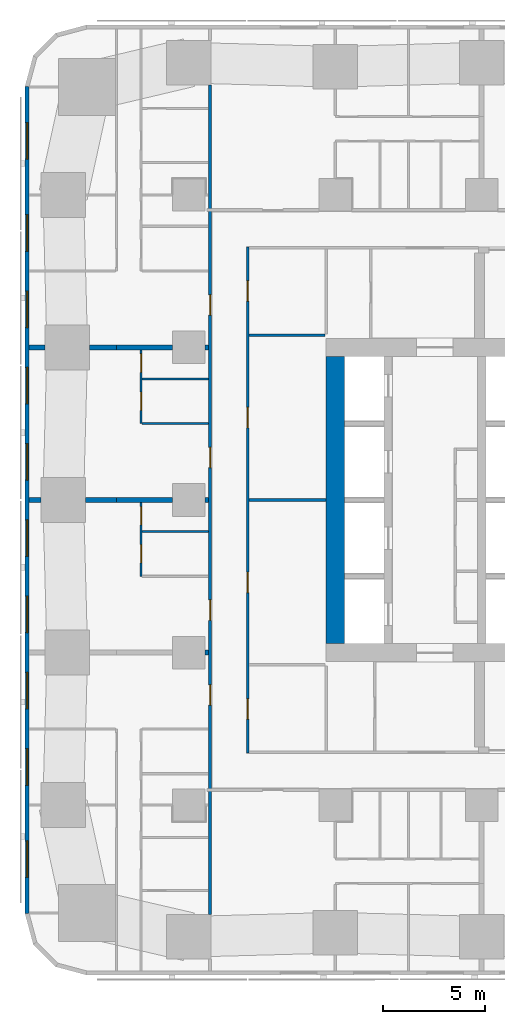
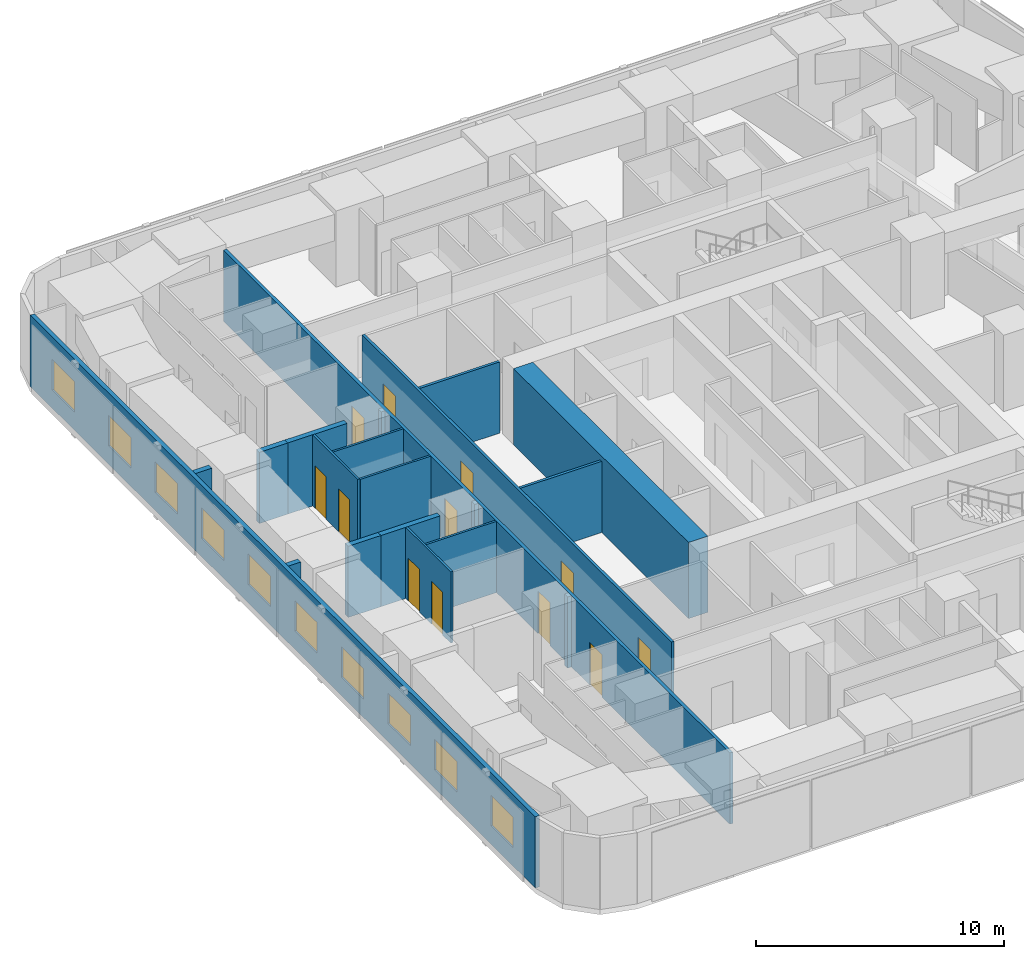
# One storey, part 4 of 14: 20 walls, 12 doors, 10 windows, 22 openings.
"""IFC4 building model written with IfcOpenShell, lengths in metres."""

import ifcopenshell
import ifcopenshell.guid

model = None  # the IFC model being written
_history = None  # IfcOwnerHistory: only IFC2X3 demands one
_inside = {}  # id of a spatial element -> (the spatial element, [elements in it])
_under = {}  # id of a project, library or spatial element -> (it, [spatial elements below it])
_declared = {}  # id of a project -> (the project, [libraries it declares])
_typed = {}  # id of a type object -> (the type object, [elements of that type])
_made_of = {}  # id of a material, layer set ... -> (it, [elements and type objects made of it])


def new_model(schema):
    """Start an empty IFC model of exactly this schema.

    Asked for "IFC4X3", IfcOpenShell would pick the latest addendum, in which some entities
    have other attributes; the version numbers below select the first issue.
    IFC2X3 requires an IfcOwnerHistory on every rooted entity: one is made here for all.
    """
    global model, _history
    if schema == "IFC4X3":
        model = ifcopenshell.file(schema_version=(4, 3, 0, 0))
    else:
        model = ifcopenshell.file(schema=schema)
    _inside.clear()
    _under.clear()
    _declared.clear()
    _typed.clear()
    _made_of.clear()
    _history = None
    if model.schema == "IFC2X3":
        org = make("IfcOrganization", Name="unknown")
        user = make(
            "IfcPersonAndOrganization",
            ThePerson=make("IfcPerson", FamilyName="unknown"),
            TheOrganization=org,
        )
        app = make(
            "IfcApplication",
            ApplicationDeveloper=org,
            Version="unknown",
            ApplicationFullName="unknown",
            ApplicationIdentifier="unknown",
        )
        _history = make(
            "IfcOwnerHistory",
            OwningUser=user,
            OwningApplication=app,
            ChangeAction="ADDED",
            CreationDate=0,
        )
    return model


def make(cls, **values):
    """One entity of the class cls with the attributes given. An attribute that is None is left unset."""
    return model.create_entity(
        cls, **{name: value for name, value in values.items() if value is not None}
    )


def rooted(cls, **values):
    """An entity with a GlobalId (a new one), such as an element, a storey or a relation."""
    return make(cls, GlobalId=ifcopenshell.guid.new(), OwnerHistory=_history, **values)


def si_unit(unit_type, name, prefix=None):
    """IfcSIUnit, for example si_unit("LENGTHUNIT", "METRE", prefix="MILLI")."""
    return make("IfcSIUnit", UnitType=unit_type, Prefix=prefix, Name=name)


def assignment(units):
    """IfcUnitAssignment: the units of a project."""
    return None if units is None else make("IfcUnitAssignment", Units=units)


def point(xyz):
    """IfcCartesianPoint."""
    return None if xyz is None else make("IfcCartesianPoint", Coordinates=xyz)


def direction(xyz):
    """IfcDirection."""
    return None if xyz is None else make("IfcDirection", DirectionRatios=xyz)


def frame(location, z_axis=None, x_axis=None):
    """IfcAxis2Placement3D, a coordinate frame: its origin and axes. An axis left out is left unset."""
    return make(
        "IfcAxis2Placement3D",
        Location=point(location),
        Axis=direction(z_axis),
        RefDirection=direction(x_axis),
    )


def frame_2d(location, x_axis=None):
    """IfcAxis2Placement2D, a coordinate frame in the plane: its origin and x axis."""
    return make(
        "IfcAxis2Placement2D", Location=point(location), RefDirection=direction(x_axis)
    )


def origin():
    """The frame at (0, 0, 0) with its axes left unset."""
    return frame((0.0, 0.0, 0.0))


def place(relative_to, where):
    """IfcLocalPlacement: puts the frame where relative to a parent placement (None: the world)."""
    return make(
        "IfcLocalPlacement", PlacementRelTo=relative_to, RelativePlacement=where
    )


def context(
    kind, dimensions, precision=None, world=None, true_north=None, identifier=None
):
    """IfcGeometricRepresentationContext, for example the 3D "Model" context."""
    return make(
        "IfcGeometricRepresentationContext",
        ContextIdentifier=identifier,
        ContextType=kind,
        CoordinateSpaceDimension=dimensions,
        Precision=precision,
        WorldCoordinateSystem=world,
        TrueNorth=true_north,
    )


def subcontext(parent, identifier, kind, view, scale=None):
    """IfcGeometricRepresentationSubContext, for example "Body" below "Model"."""
    return make(
        "IfcGeometricRepresentationSubContext",
        ContextIdentifier=identifier,
        ContextType=kind,
        ParentContext=parent,
        TargetScale=scale,
        TargetView=view,
    )


def project(units=None, contexts=None):
    """IfcProject with its units and contexts."""
    return rooted(
        "IfcProject",
        Name="project",
        RepresentationContexts=contexts,
        UnitsInContext=assignment(units),
    )


def spatial(cls, under=None, at=None, **own):
    """A site, building, storey or space (cls), placed at a placement, below another one or the project."""
    s = rooted(cls, ObjectPlacement=at, **own)
    if under is not None:
        _under.setdefault(under.id(), (under, []))[1].append(s)
    return s


def profile(cls, at=None, kind="AREA", **sizes):
    """A parametric profile (cls). Its sizes go by their IFC names, for example OverallWidth=200.0."""
    return make(cls, ProfileType=kind, Position=at, **sizes)


def rectangle(**sizes):
    """IfcRectangleProfileDef."""
    return profile("IfcRectangleProfileDef", **sizes)


def extrude(swept, where, along, depth):
    """IfcExtrudedAreaSolid: the profile swept, set in the frame where, extruded along a direction by depth."""
    return make(
        "IfcExtrudedAreaSolid",
        SweptArea=swept,
        Position=where,
        ExtrudedDirection=direction(along),
        Depth=depth,
    )


def shape(context_of_items, identifier, shape_type, items):
    """IfcShapeRepresentation: the items that make up one representation, for example the "Body"."""
    return make(
        "IfcShapeRepresentation",
        ContextOfItems=context_of_items,
        RepresentationIdentifier=identifier,
        RepresentationType=shape_type,
        Items=items,
    )


def material(Name=None, Category=None):
    """IfcMaterial."""
    return make("IfcMaterial", Name=Name, Category=Category)


def layer(
    of_material, thickness, ventilated=None, Name=None, Category=None, Priority=None
):
    """IfcMaterialLayer: one layer of a wall or slab, of a material (None: an air gap)."""
    return make(
        "IfcMaterialLayer",
        Material=of_material,
        LayerThickness=thickness,
        IsVentilated=ventilated,
        Name=Name,
        Category=Category,
        Priority=Priority,
    )


def layer_set(layers, Name=None):
    """IfcMaterialLayerSet."""
    return make("IfcMaterialLayerSet", MaterialLayers=layers, LayerSetName=Name)


def made_of(thing, what):
    """Note that an element or type object is made of a material, layer set ...; save() writes the relation."""
    if what is not None:
        _made_of.setdefault(what.id(), (what, []))[1].append(thing)
    return thing


def type_object(cls, material=None, **own):
    """A type object (cls), such as IfcWallType, which elements share."""
    return made_of(rooted(cls, **own), material)


def element(
    cls,
    number,
    at=None,
    inside=None,
    cuts=None,
    type_object=None,
    material=None,
    context=None,
    identifier="Body",
    shape_type=None,
    held_by="IfcProductDefinitionShape",
    body=None,
    shapes=None,
    **own,
):
    """One element of the class cls, such as IfcWall. Its Tag is "e" and its number.

    at: its placement. inside: the storey or other place that contains it. cuts: it is an
    opening in that element (IfcRelVoidsElement). A single representation is given by context,
    identifier, shape_type and body (its items); several are given by shapes. held_by: the class
    of the entity that holds the representations. save() writes the other relations.
    """
    e = rooted(cls, Tag="e%d" % number, ObjectPlacement=at, **own)
    if body is not None:
        shapes = [shape(context, identifier, shape_type, body)]
    if shapes is not None:
        e.Representation = make(held_by, Representations=shapes)
    if inside is not None:
        _inside.setdefault(inside.id(), (inside, []))[1].append(e)
    if cuts is not None:
        rooted(
            "IfcRelVoidsElement", RelatingBuildingElement=cuts, RelatedOpeningElement=e
        )
    if type_object is not None:
        _typed.setdefault(type_object.id(), (type_object, []))[1].append(e)
    return made_of(e, material)


def fill(opening, filler):
    """IfcRelFillsElement: the door or window that sits in an opening."""
    return rooted(
        "IfcRelFillsElement",
        RelatingOpeningElement=opening,
        RelatedBuildingElement=filler,
    )


def aggregate(whole, parts):
    """IfcRelAggregates: a whole, such as a stair, and the parts it consists of."""
    return rooted("IfcRelAggregates", RelatingObject=whole, RelatedObjects=parts)


def save(model, path):
    """Write the relations noted so far, then the file.

    IfcRelAggregates (storeys below a building ...), IfcRelContainedInSpatialStructure (elements
    in a storey), IfcRelDefinesByType, IfcRelAssociatesMaterial and IfcRelDeclares: one each for
    every whole, place, type object, material and project.
    """
    for whole, parts in _under.values():
        aggregate(whole, parts)
    for where, things in _inside.values():
        rooted(
            "IfcRelContainedInSpatialStructure",
            RelatedElements=things,
            RelatingStructure=where,
        )
    for kind, things in _typed.values():
        rooted("IfcRelDefinesByType", RelatedObjects=things, RelatingType=kind)
    for what, things in _made_of.values():
        rooted("IfcRelAssociatesMaterial", RelatedObjects=things, RelatingMaterial=what)
    for by, libraries in _declared.values():
        rooted("IfcRelDeclares", RelatingContext=by, RelatedDefinitions=libraries)
    model.write(path)


model = new_model("IFC4")

# Units and contexts
model_context = context("Model", 3, precision=1e-05, world=origin(), true_north=direction((0.0, 1.0)))
body_context = subcontext(model_context, "Body", "Model", "MODEL_VIEW")
ifc_project = project(units=[si_unit("LENGTHUNIT", "METRE"), si_unit("AREAUNIT", "SQUARE_METRE"), si_unit("VOLUMEUNIT", "CUBIC_METRE"), si_unit("PLANEANGLEUNIT", "RADIAN"), si_unit("MASSUNIT", "GRAM", prefix="KILO")], contexts=[model_context])

# Site, building, storey
site_placement = place(None, origin())
site = spatial("IfcSite", under=ifc_project, at=site_placement, CompositionType="ELEMENT")
building_placement = place(site_placement, origin())
building = spatial("IfcBuilding", under=site, at=building_placement, Name="Sheger Commons Tower", CompositionType="ELEMENT")
storey_placement = place(building_placement, frame((0.0, 0.0, 122.89990234375)))
storey = spatial("IfcBuildingStorey", under=building, at=storey_placement, Name="L31", CompositionType="ELEMENT", Elevation=122.89990234375)

# Wall
ifc_material_1 = material(Name="Concrete C50/60", Category="concrete")
ifc_layer_1 = layer(ifc_material_1, 0.89990234375)
ifc_layer_set_1 = layer_set([ifc_layer_1], Name="CORE WALL 900")
wall_type_1 = type_object("IfcWallType", Name="CORE WALL 900", PredefinedType="SHEAR", material=ifc_layer_set_1)
wall_1_placement = place(storey_placement, frame((14.39990234375, 15.449951171875, 0.0), z_axis=(0.0, 0.0, 1.0), x_axis=(0.0, 1.0, 0.0)))
element("IfcWall", 1, at=wall_1_placement, inside=storey, type_object=wall_type_1, Name="Core wall west L31", PredefinedType="SHEAR", context=body_context, shape_type="SweptSolid", body=[
    extrude(rectangle(XDim=14.10009765625, YDim=0.89990234375, at=frame_2d((7.050048828125, 0.0))), origin(), (0.0, 0.0, 1.0), 3.75),
])

# Wall, openings, doors
ifc_material_2 = material(Name="Hollow concrete block masonry, skimmed both sides", Category="masonry")
ifc_layer_2 = layer(ifc_material_2, 0.14990234375)
ifc_layer_set_2 = layer_set([ifc_layer_2], Name="CORRIDOR WALL 150")
wall_type_2 = type_object("IfcWallType", Name="CORRIDOR WALL 150", PredefinedType="SOLIDWALL", material=ifc_layer_set_2)
wall_2_placement = place(storey_placement, frame((8.25, 2.1259765625, 0.0), z_axis=(0.0, 0.0, 1.0), x_axis=(0.0, 1.0, 0.0)))
wall_2 = element("IfcWall", 2, at=wall_2_placement, inside=storey, type_object=wall_type_2, Name="Corridor wall L31", PredefinedType="SOLIDWALL", context=body_context, shape_type="SweptSolid", body=[
    extrude(rectangle(XDim=40.77294921875, YDim=0.14990234375, at=frame_2d((20.386474609375, 0.0))), origin(), (0.0, 0.0, 1.0), 3.5),
])
opening_1_placement = place(wall_2_placement, frame((10.285888671875, 0.0, 0.0)))
opening_1 = element("IfcOpeningElement", 3, at=opening_1_placement, cuts=wall_2, Name="Opening D1", PredefinedType="OPENING", context=body_context, shape_type="SweptSolid", body=[
    extrude(rectangle(XDim=1.0, YDim=2.10009765625, at=frame_2d((0.5, 1.050048828125))), frame((0.0, 0.0849609375, 0.0), z_axis=(0.0, -1.0, 0.0), x_axis=(1.0, 0.0, 0.0)), (0.0, 0.0, 1.0), 0.169921875),
])
opening_2_placement = place(wall_2_placement, frame((14.4609375, 0.0, 0.0)))
opening_2 = element("IfcOpeningElement", 4, at=opening_2_placement, cuts=wall_2, Name="Opening D1", PredefinedType="OPENING", context=body_context, shape_type="SweptSolid", body=[
    extrude(rectangle(XDim=1.0, YDim=2.10009765625, at=frame_2d((0.5, 1.050048828125))), frame((0.0, 0.0849609375, 0.0), z_axis=(0.0, -1.0, 0.0), x_axis=(1.0, 0.0, 0.0)), (0.0, 0.0, 1.0), 0.169921875),
])
opening_3_placement = place(wall_2_placement, frame((21.9619140625, 0.0, 0.0)))
opening_3 = element("IfcOpeningElement", 5, at=opening_3_placement, cuts=wall_2, Name="Opening D1", PredefinedType="OPENING", context=body_context, shape_type="SweptSolid", body=[
    extrude(rectangle(XDim=1.0, YDim=2.10009765625, at=frame_2d((0.5, 1.050048828125))), frame((0.0, 0.0849609375, 0.0), z_axis=(0.0, -1.0, 0.0), x_axis=(1.0, 0.0, 0.0)), (0.0, 0.0, 1.0), 0.169921875),
])
opening_4_placement = place(wall_2_placement, frame((29.4609375, 0.0, 0.0)))
opening_4 = element("IfcOpeningElement", 6, at=opening_4_placement, cuts=wall_2, Name="Opening D1", PredefinedType="OPENING", context=body_context, shape_type="SweptSolid", body=[
    extrude(rectangle(XDim=1.0, YDim=2.10009765625, at=frame_2d((0.5, 1.050048828125))), frame((0.0, 0.0849609375, 0.0), z_axis=(0.0, -1.0, 0.0), x_axis=(1.0, 0.0, 0.0)), (0.0, 0.0, 1.0), 0.169921875),
])
ifc_material_3 = material(Name="Steel door set, fire rated", Category="steel")
door_type_1 = type_object("IfcDoorType", Name="FLAT ENTRANCE DOOR 1000x2100", OperationType="NOTDEFINED", PredefinedType="DOOR", material=ifc_material_3)
door_1_placement = place(opening_1_placement, origin())
door_1 = element("IfcDoor", 7, at=door_1_placement, inside=storey, type_object=door_type_1, Name="Flat entrance door", OperationType="SINGLE_SWING_LEFT", OverallHeight=2.10009765625, OverallWidth=1.0, PredefinedType="DOOR", context=body_context, shape_type="SweptSolid", body=[
    extrude(rectangle(XDim=1.0, YDim=2.10009765625, at=frame_2d((0.5, 1.050048828125))), frame((0.0, 0.02490234375, 0.0), z_axis=(0.0, -1.0, 0.0), x_axis=(1.0, 0.0, 0.0)), (0.0, 0.0, 1.0), 0.050048828125),
])
fill(opening_1, door_1)
door_2_placement = place(opening_2_placement, origin())
door_2 = element("IfcDoor", 8, at=door_2_placement, inside=storey, type_object=door_type_1, Name="Flat entrance door", OperationType="SINGLE_SWING_RIGHT", OverallHeight=2.10009765625, OverallWidth=1.0, PredefinedType="DOOR", context=body_context, shape_type="SweptSolid", body=[
    extrude(rectangle(XDim=1.0, YDim=2.10009765625, at=frame_2d((0.5, 1.050048828125))), frame((0.0, 0.02490234375, 0.0), z_axis=(0.0, -1.0, 0.0), x_axis=(1.0, 0.0, 0.0)), (0.0, 0.0, 1.0), 0.050048828125),
])
fill(opening_2, door_2)
door_3_placement = place(opening_3_placement, origin())
door_3 = element("IfcDoor", 9, at=door_3_placement, inside=storey, type_object=door_type_1, Name="Flat entrance door", OperationType="SINGLE_SWING_RIGHT", OverallHeight=2.10009765625, OverallWidth=1.0, PredefinedType="DOOR", context=body_context, shape_type="SweptSolid", body=[
    extrude(rectangle(XDim=1.0, YDim=2.10009765625, at=frame_2d((0.5, 1.050048828125))), frame((0.0, 0.02490234375, 0.0), z_axis=(0.0, -1.0, 0.0), x_axis=(1.0, 0.0, 0.0)), (0.0, 0.0, 1.0), 0.050048828125),
])
fill(opening_3, door_3)
door_4_placement = place(opening_4_placement, origin())
door_4 = element("IfcDoor", 10, at=door_4_placement, inside=storey, type_object=door_type_1, Name="Flat entrance door", OperationType="SINGLE_SWING_RIGHT", OverallHeight=2.10009765625, OverallWidth=1.0, PredefinedType="DOOR", context=body_context, shape_type="SweptSolid", body=[
    extrude(rectangle(XDim=1.0, YDim=2.10009765625, at=frame_2d((0.5, 1.050048828125))), frame((0.0, 0.02490234375, 0.0), z_axis=(0.0, -1.0, 0.0), x_axis=(1.0, 0.0, 0.0)), (0.0, 0.0, 1.0), 0.050048828125),
])
fill(opening_4, door_4)

# Walls
ifc_material_4 = material(Name="Dense concrete block masonry, plastered both sides (separating wall between flats)", Category="masonry")
ifc_layer_3 = layer(ifc_material_4, 0.25)
ifc_layer_set_3 = layer_set([ifc_layer_3], Name="DEMISING WALL 250")
wall_type_3 = type_object("IfcWallType", Name="DEMISING WALL 250", PredefinedType="SOLIDWALL", material=ifc_layer_set_3)
wall_3_placement = place(storey_placement, frame((8.0009765625, 15.0, 0.0), z_axis=(0.0, 0.0, 1.0), x_axis=(1.0, 0.0, 0.0)))
element("IfcWall", 11, at=wall_3_placement, inside=storey, type_object=wall_type_3, Name="Demising wall L31", PredefinedType="SOLIDWALL", context=body_context, shape_type="SweptSolid", body=[
    extrude(rectangle(XDim=0.174072265625, YDim=0.25, at=frame_2d((0.0869140625, 0.0))), origin(), (0.0, 0.0, 1.0), 3.5),
])
wall_4_placement = place(storey_placement, frame((-0.64990234375, 22.5, 0.0), z_axis=(0.0, 0.0, 1.0), x_axis=(1.0, 0.0, 0.0)))
element("IfcWall", 12, at=wall_4_placement, inside=storey, type_object=wall_type_3, Name="Demising wall L31", PredefinedType="SOLIDWALL", context=body_context, shape_type="SweptSolid", body=[
    extrude(rectangle(XDim=0.573974609375, YDim=0.25, at=frame_2d((0.287109375, 0.0))), origin(), (0.0, 0.0, 1.0), 3.5),
])
wall_5_placement = place(storey_placement, frame((2.1259765625, 22.5, 0.0), z_axis=(0.0, 0.0, 1.0), x_axis=(1.0, 0.0, 0.0)))
element("IfcWall", 13, at=wall_5_placement, inside=storey, type_object=wall_type_3, Name="Demising wall L31", PredefinedType="SOLIDWALL", context=body_context, shape_type="SweptSolid", body=[
    extrude(rectangle(XDim=1.52392578125, YDim=0.25, at=frame_2d((0.761962890625, 0.0))), origin(), (0.0, 0.0, 1.0), 3.5),
])
wall_6_placement = place(storey_placement, frame((3.64990234375, 22.5, 0.0), z_axis=(0.0, 0.0, 1.0), x_axis=(1.0, 0.0, 0.0)))
element("IfcWall", 14, at=wall_6_placement, inside=storey, type_object=wall_type_3, Name="Demising wall L31", PredefinedType="SOLIDWALL", context=body_context, shape_type="SweptSolid", body=[
    extrude(rectangle(XDim=2.7490234375, YDim=0.25, at=frame_2d((1.37451171875, 0.0))), origin(), (0.0, 0.0, 1.0), 3.5),
])
wall_7_placement = place(storey_placement, frame((8.0009765625, 22.5, 0.0), z_axis=(0.0, 0.0, 1.0), x_axis=(1.0, 0.0, 0.0)))
element("IfcWall", 15, at=wall_7_placement, inside=storey, type_object=wall_type_3, Name="Demising wall L31", PredefinedType="SOLIDWALL", context=body_context, shape_type="SweptSolid", body=[
    extrude(rectangle(XDim=0.174072265625, YDim=0.25, at=frame_2d((0.0869140625, 0.0))), origin(), (0.0, 0.0, 1.0), 3.5),
])
wall_8_placement = place(storey_placement, frame((-0.64990234375, 30.0, 0.0), z_axis=(0.0, 0.0, 1.0), x_axis=(1.0, 0.0, 0.0)))
element("IfcWall", 16, at=wall_8_placement, inside=storey, type_object=wall_type_3, Name="Demising wall L31", PredefinedType="SOLIDWALL", context=body_context, shape_type="SweptSolid", body=[
    extrude(rectangle(XDim=0.77392578125, YDim=0.25, at=frame_2d((0.386962890625, 0.0))), origin(), (0.0, 0.0, 1.0), 3.5),
])
wall_9_placement = place(storey_placement, frame((2.325927734375, 30.0, 0.0), z_axis=(0.0, 0.0, 1.0), x_axis=(1.0, 0.0, 0.0)))
element("IfcWall", 17, at=wall_9_placement, inside=storey, type_object=wall_type_3, Name="Demising wall L31", PredefinedType="SOLIDWALL", context=body_context, shape_type="SweptSolid", body=[
    extrude(rectangle(XDim=1.323974609375, YDim=0.25, at=frame_2d((0.662109375, 0.0))), origin(), (0.0, 0.0, 1.0), 3.5),
])
wall_10_placement = place(storey_placement, frame((3.64990234375, 30.0, 0.0), z_axis=(0.0, 0.0, 1.0), x_axis=(1.0, 0.0, 0.0)))
element("IfcWall", 18, at=wall_10_placement, inside=storey, type_object=wall_type_3, Name="Demising wall L31", PredefinedType="SOLIDWALL", context=body_context, shape_type="SweptSolid", body=[
    extrude(rectangle(XDim=2.7490234375, YDim=0.25, at=frame_2d((1.37451171875, 0.0))), origin(), (0.0, 0.0, 1.0), 3.5),
])
wall_11_placement = place(storey_placement, frame((8.0009765625, 30.0, 0.0), z_axis=(0.0, 0.0, 1.0), x_axis=(1.0, 0.0, 0.0)))
element("IfcWall", 19, at=wall_11_placement, inside=storey, type_object=wall_type_3, Name="Demising wall L31", PredefinedType="SOLIDWALL", context=body_context, shape_type="SweptSolid", body=[
    extrude(rectangle(XDim=0.174072265625, YDim=0.25, at=frame_2d((0.0869140625, 0.0))), origin(), (0.0, 0.0, 1.0), 3.5),
])

# Wall, openings, windows
ifc_material_5 = material(Name="Rendered concrete block masonry, dark grey", Category="masonry")
ifc_layer_4 = layer(ifc_material_5, 0.199951171875)
ifc_layer_set_4 = layer_set([ifc_layer_4], Name="FACADE WALL 200")
wall_type_4 = type_object("IfcWallType", Name="FACADE WALL 200", PredefinedType="SOLIDWALL", material=ifc_layer_set_4)
wall_12_placement = place(storey_placement, frame((-0.75, 42.8369140625, 0.0), z_axis=(0.0, 0.0, 1.0), x_axis=(0.0, -1.0, 0.0)))
wall_12 = element("IfcWall", 20, at=wall_12_placement, inside=storey, type_object=wall_type_4, Name="Facade wall L31", PredefinedType="SOLIDWALL", context=body_context, shape_type="SweptSolid", body=[
    extrude(rectangle(XDim=40.673828125, YDim=0.199951171875, at=frame_2d((20.3369140625, 0.0))), origin(), (0.0, 0.0, 1.0), 3.5),
])
opening_5_placement = place(wall_12_placement, frame((1.780029296875, 0.0, 0.89990234375)))
opening_5 = element("IfcOpeningElement", 21, at=opening_5_placement, cuts=wall_12, Name="Opening W2", PredefinedType="OPENING", context=body_context, shape_type="SweptSolid", body=[
    extrude(rectangle(XDim=1.800048828125, YDim=1.5, at=frame_2d((0.89990234375, 0.75))), frame((0.0, 0.10986328125, 0.0), z_axis=(0.0, -1.0, 0.0), x_axis=(1.0, 0.0, 0.0)), (0.0, 0.0, 1.0), 0.219970703125),
])
opening_6_placement = place(wall_12_placement, frame((6.31201171875, 0.0, 0.89990234375)))
opening_6 = element("IfcOpeningElement", 22, at=opening_6_placement, cuts=wall_12, Name="Opening W2", PredefinedType="OPENING", context=body_context, shape_type="SweptSolid", body=[
    extrude(rectangle(XDim=1.800048828125, YDim=1.5, at=frame_2d((0.89990234375, 0.75))), frame((0.0, 0.10986328125, 0.0), z_axis=(0.0, -1.0, 0.0), x_axis=(1.0, 0.0, 0.0)), (0.0, 0.0, 1.0), 0.219970703125),
])
opening_7_placement = place(wall_12_placement, frame((10.06201171875, 0.0, 0.89990234375)))
opening_7 = element("IfcOpeningElement", 23, at=opening_7_placement, cuts=wall_12, Name="Opening W2", PredefinedType="OPENING", context=body_context, shape_type="SweptSolid", body=[
    extrude(rectangle(XDim=1.800048828125, YDim=1.5, at=frame_2d((0.89990234375, 0.75))), frame((0.0, 0.10986328125, 0.0), z_axis=(0.0, -1.0, 0.0), x_axis=(1.0, 0.0, 0.0)), (0.0, 0.0, 1.0), 0.219970703125),
])
opening_8_placement = place(wall_12_placement, frame((13.81201171875, 0.0, 0.89990234375)))
opening_8 = element("IfcOpeningElement", 24, at=opening_8_placement, cuts=wall_12, Name="Opening W2", PredefinedType="OPENING", context=body_context, shape_type="SweptSolid", body=[
    extrude(rectangle(XDim=1.800048828125, YDim=1.5, at=frame_2d((0.89990234375, 0.75))), frame((0.0, 0.10986328125, 0.0), z_axis=(0.0, -1.0, 0.0), x_axis=(1.0, 0.0, 0.0)), (0.0, 0.0, 1.0), 0.219970703125),
])
opening_9_placement = place(wall_12_placement, frame((17.56201171875, 0.0, 0.89990234375)))
opening_9 = element("IfcOpeningElement", 25, at=opening_9_placement, cuts=wall_12, Name="Opening W2", PredefinedType="OPENING", context=body_context, shape_type="SweptSolid", body=[
    extrude(rectangle(XDim=1.800048828125, YDim=1.5, at=frame_2d((0.89990234375, 0.75))), frame((0.0, 0.10986328125, 0.0), z_axis=(0.0, -1.0, 0.0), x_axis=(1.0, 0.0, 0.0)), (0.0, 0.0, 1.0), 0.219970703125),
])
opening_10_placement = place(wall_12_placement, frame((21.31201171875, 0.0, 0.89990234375)))
opening_10 = element("IfcOpeningElement", 26, at=opening_10_placement, cuts=wall_12, Name="Opening W2", PredefinedType="OPENING", context=body_context, shape_type="SweptSolid", body=[
    extrude(rectangle(XDim=1.800048828125, YDim=1.5, at=frame_2d((0.89990234375, 0.75))), frame((0.0, 0.10986328125, 0.0), z_axis=(0.0, -1.0, 0.0), x_axis=(1.0, 0.0, 0.0)), (0.0, 0.0, 1.0), 0.219970703125),
])
opening_11_placement = place(wall_12_placement, frame((25.06201171875, 0.0, 0.89990234375)))
opening_11 = element("IfcOpeningElement", 27, at=opening_11_placement, cuts=wall_12, Name="Opening W2", PredefinedType="OPENING", context=body_context, shape_type="SweptSolid", body=[
    extrude(rectangle(XDim=1.800048828125, YDim=1.5, at=frame_2d((0.89990234375, 0.75))), frame((0.0, 0.10986328125, 0.0), z_axis=(0.0, -1.0, 0.0), x_axis=(1.0, 0.0, 0.0)), (0.0, 0.0, 1.0), 0.219970703125),
])
opening_12_placement = place(wall_12_placement, frame((28.81201171875, 0.0, 0.89990234375)))
opening_12 = element("IfcOpeningElement", 28, at=opening_12_placement, cuts=wall_12, Name="Opening W2", PredefinedType="OPENING", context=body_context, shape_type="SweptSolid", body=[
    extrude(rectangle(XDim=1.800048828125, YDim=1.5, at=frame_2d((0.89990234375, 0.75))), frame((0.0, 0.10986328125, 0.0), z_axis=(0.0, -1.0, 0.0), x_axis=(1.0, 0.0, 0.0)), (0.0, 0.0, 1.0), 0.219970703125),
])
opening_13_placement = place(wall_12_placement, frame((32.56201171875, 0.0, 0.89990234375)))
opening_13 = element("IfcOpeningElement", 29, at=opening_13_placement, cuts=wall_12, Name="Opening W2", PredefinedType="OPENING", context=body_context, shape_type="SweptSolid", body=[
    extrude(rectangle(XDim=1.800048828125, YDim=1.5, at=frame_2d((0.89990234375, 0.75))), frame((0.0, 0.10986328125, 0.0), z_axis=(0.0, -1.0, 0.0), x_axis=(1.0, 0.0, 0.0)), (0.0, 0.0, 1.0), 0.219970703125),
])
opening_14_placement = place(wall_12_placement, frame((37.093994140625, 0.0, 0.89990234375)))
opening_14 = element("IfcOpeningElement", 30, at=opening_14_placement, cuts=wall_12, Name="Opening W2", PredefinedType="OPENING", context=body_context, shape_type="SweptSolid", body=[
    extrude(rectangle(XDim=1.800048828125, YDim=1.5, at=frame_2d((0.89990234375, 0.75))), frame((0.0, 0.10986328125, 0.0), z_axis=(0.0, -1.0, 0.0), x_axis=(1.0, 0.0, 0.0)), (0.0, 0.0, 1.0), 0.219970703125),
])
ifc_material_6 = material(Name="Black aluminium frame, dark tinted double glazing", Category="aluminium")
window_type = type_object("IfcWindowType", Name="WINDOW W2 1800x1500", PartitioningType="SINGLE_PANEL", PredefinedType="WINDOW", material=ifc_material_6)
window_1_placement = place(opening_5_placement, origin())
window_1 = element("IfcWindow", 31, at=window_1_placement, inside=storey, type_object=window_type, Name="Window W2 1800X1500", OverallHeight=1.5, OverallWidth=1.800048828125, PartitioningType="SINGLE_PANEL", PredefinedType="WINDOW", context=body_context, shape_type="SweptSolid", body=[
    extrude(rectangle(XDim=1.800048828125, YDim=1.5, at=frame_2d((0.89990234375, 0.75))), frame((0.0, 0.030029296875, 0.0), z_axis=(0.0, -1.0, 0.0), x_axis=(1.0, 0.0, 0.0)), (0.0, 0.0, 1.0), 0.06005859375),
])
fill(opening_5, window_1)
window_2_placement = place(opening_6_placement, origin())
window_2 = element("IfcWindow", 32, at=window_2_placement, inside=storey, type_object=window_type, Name="Window W2 1800X1500", OverallHeight=1.5, OverallWidth=1.800048828125, PartitioningType="SINGLE_PANEL", PredefinedType="WINDOW", context=body_context, shape_type="SweptSolid", body=[
    extrude(rectangle(XDim=1.800048828125, YDim=1.5, at=frame_2d((0.89990234375, 0.75))), frame((0.0, 0.030029296875, 0.0), z_axis=(0.0, -1.0, 0.0), x_axis=(1.0, 0.0, 0.0)), (0.0, 0.0, 1.0), 0.06005859375),
])
fill(opening_6, window_2)
window_3_placement = place(opening_7_placement, origin())
window_3 = element("IfcWindow", 33, at=window_3_placement, inside=storey, type_object=window_type, Name="Window W2 1800X1500", OverallHeight=1.5, OverallWidth=1.800048828125, PartitioningType="SINGLE_PANEL", PredefinedType="WINDOW", context=body_context, shape_type="SweptSolid", body=[
    extrude(rectangle(XDim=1.800048828125, YDim=1.5, at=frame_2d((0.89990234375, 0.75))), frame((0.0, 0.030029296875, 0.0), z_axis=(0.0, -1.0, 0.0), x_axis=(1.0, 0.0, 0.0)), (0.0, 0.0, 1.0), 0.06005859375),
])
fill(opening_7, window_3)
window_4_placement = place(opening_8_placement, origin())
window_4 = element("IfcWindow", 34, at=window_4_placement, inside=storey, type_object=window_type, Name="Window W2 1800X1500", OverallHeight=1.5, OverallWidth=1.800048828125, PartitioningType="SINGLE_PANEL", PredefinedType="WINDOW", context=body_context, shape_type="SweptSolid", body=[
    extrude(rectangle(XDim=1.800048828125, YDim=1.5, at=frame_2d((0.89990234375, 0.75))), frame((0.0, 0.030029296875, 0.0), z_axis=(0.0, -1.0, 0.0), x_axis=(1.0, 0.0, 0.0)), (0.0, 0.0, 1.0), 0.06005859375),
])
fill(opening_8, window_4)
window_5_placement = place(opening_9_placement, origin())
window_5 = element("IfcWindow", 35, at=window_5_placement, inside=storey, type_object=window_type, Name="Window W2 1800X1500", OverallHeight=1.5, OverallWidth=1.800048828125, PartitioningType="SINGLE_PANEL", PredefinedType="WINDOW", context=body_context, shape_type="SweptSolid", body=[
    extrude(rectangle(XDim=1.800048828125, YDim=1.5, at=frame_2d((0.89990234375, 0.75))), frame((0.0, 0.030029296875, 0.0), z_axis=(0.0, -1.0, 0.0), x_axis=(1.0, 0.0, 0.0)), (0.0, 0.0, 1.0), 0.06005859375),
])
fill(opening_9, window_5)
window_6_placement = place(opening_10_placement, origin())
window_6 = element("IfcWindow", 36, at=window_6_placement, inside=storey, type_object=window_type, Name="Window W2 1800X1500", OverallHeight=1.5, OverallWidth=1.800048828125, PartitioningType="SINGLE_PANEL", PredefinedType="WINDOW", context=body_context, shape_type="SweptSolid", body=[
    extrude(rectangle(XDim=1.800048828125, YDim=1.5, at=frame_2d((0.89990234375, 0.75))), frame((0.0, 0.030029296875, 0.0), z_axis=(0.0, -1.0, 0.0), x_axis=(1.0, 0.0, 0.0)), (0.0, 0.0, 1.0), 0.06005859375),
])
fill(opening_10, window_6)
window_7_placement = place(opening_11_placement, origin())
window_7 = element("IfcWindow", 37, at=window_7_placement, inside=storey, type_object=window_type, Name="Window W2 1800X1500", OverallHeight=1.5, OverallWidth=1.800048828125, PartitioningType="SINGLE_PANEL", PredefinedType="WINDOW", context=body_context, shape_type="SweptSolid", body=[
    extrude(rectangle(XDim=1.800048828125, YDim=1.5, at=frame_2d((0.89990234375, 0.75))), frame((0.0, 0.030029296875, 0.0), z_axis=(0.0, -1.0, 0.0), x_axis=(1.0, 0.0, 0.0)), (0.0, 0.0, 1.0), 0.06005859375),
])
fill(opening_11, window_7)
window_8_placement = place(opening_12_placement, origin())
window_8 = element("IfcWindow", 38, at=window_8_placement, inside=storey, type_object=window_type, Name="Window W2 1800X1500", OverallHeight=1.5, OverallWidth=1.800048828125, PartitioningType="SINGLE_PANEL", PredefinedType="WINDOW", context=body_context, shape_type="SweptSolid", body=[
    extrude(rectangle(XDim=1.800048828125, YDim=1.5, at=frame_2d((0.89990234375, 0.75))), frame((0.0, 0.030029296875, 0.0), z_axis=(0.0, -1.0, 0.0), x_axis=(1.0, 0.0, 0.0)), (0.0, 0.0, 1.0), 0.06005859375),
])
fill(opening_12, window_8)
window_9_placement = place(opening_13_placement, origin())
window_9 = element("IfcWindow", 39, at=window_9_placement, inside=storey, type_object=window_type, Name="Window W2 1800X1500", OverallHeight=1.5, OverallWidth=1.800048828125, PartitioningType="SINGLE_PANEL", PredefinedType="WINDOW", context=body_context, shape_type="SweptSolid", body=[
    extrude(rectangle(XDim=1.800048828125, YDim=1.5, at=frame_2d((0.89990234375, 0.75))), frame((0.0, 0.030029296875, 0.0), z_axis=(0.0, -1.0, 0.0), x_axis=(1.0, 0.0, 0.0)), (0.0, 0.0, 1.0), 0.06005859375),
])
fill(opening_13, window_9)
window_10_placement = place(opening_14_placement, origin())
window_10 = element("IfcWindow", 40, at=window_10_placement, inside=storey, type_object=window_type, Name="Window W2 1800X1500", OverallHeight=1.5, OverallWidth=1.800048828125, PartitioningType="SINGLE_PANEL", PredefinedType="WINDOW", context=body_context, shape_type="SweptSolid", body=[
    extrude(rectangle(XDim=1.800048828125, YDim=1.5, at=frame_2d((0.89990234375, 0.75))), frame((0.0, 0.030029296875, 0.0), z_axis=(0.0, -1.0, 0.0), x_axis=(1.0, 0.0, 0.0)), (0.0, 0.0, 1.0), 0.06005859375),
])
fill(opening_14, window_10)

# Wall, openings, doors
ifc_material_7 = material(Name="Gypsum board on steel studs", Category="steel")
ifc_layer_5 = layer(ifc_material_7, 0.10009765625)
ifc_layer_set_5 = layer_set([ifc_layer_5], Name="PARTITION 100")
wall_type_5 = type_object("IfcWallType", Name="PARTITION 100", PredefinedType="PARTITIONING", material=ifc_layer_set_5)
wall_13_placement = place(storey_placement, frame((4.85009765625, 18.75, 0.0), z_axis=(0.0, 0.0, 1.0), x_axis=(0.0, 1.0, 0.0)))
wall_13 = element("IfcWall", 41, at=wall_13_placement, inside=storey, type_object=wall_type_5, Name="Partition L31", PredefinedType="PARTITIONING", context=body_context, shape_type="SweptSolid", body=[
    extrude(rectangle(XDim=3.625, YDim=0.10009765625, at=frame_2d((1.8125, 0.0))), origin(), (0.0, 0.0, 1.0), 3.5),
])
opening_15_placement = place(wall_13_placement, frame((0.655029296875, 0.0, 0.0)))
opening_15 = element("IfcOpeningElement", 42, at=opening_15_placement, cuts=wall_13, Name="Opening D2", PredefinedType="OPENING", context=body_context, shape_type="SweptSolid", body=[
    extrude(rectangle(XDim=0.89990234375, YDim=2.10009765625, at=frame_2d((0.449951171875, 1.050048828125))), frame((0.0, 0.06005859375, 0.0), z_axis=(0.0, -1.0, 0.0), x_axis=(1.0, 0.0, 0.0)), (0.0, 0.0, 1.0), 0.1201171875),
])
opening_16_placement = place(wall_13_placement, frame((2.530029296875, 0.0, 0.0)))
opening_16 = element("IfcOpeningElement", 43, at=opening_16_placement, cuts=wall_13, Name="Opening D2", PredefinedType="OPENING", context=body_context, shape_type="SweptSolid", body=[
    extrude(rectangle(XDim=0.89990234375, YDim=2.10009765625, at=frame_2d((0.449951171875, 1.050048828125))), frame((0.0, 0.06005859375, 0.0), z_axis=(0.0, -1.0, 0.0), x_axis=(1.0, 0.0, 0.0)), (0.0, 0.0, 1.0), 0.1201171875),
])
ifc_material_8 = material(Name="Timber door set", Category="wood")
door_type_2 = type_object("IfcDoorType", Name="INTERNAL DOOR 900x2100", OperationType="NOTDEFINED", PredefinedType="DOOR", material=ifc_material_8)
door_5_placement = place(opening_15_placement, origin())
door_5 = element("IfcDoor", 44, at=door_5_placement, inside=storey, type_object=door_type_2, Name="Bathroom door", OperationType="SINGLE_SWING_RIGHT", OverallHeight=2.10009765625, OverallWidth=0.89990234375, PredefinedType="DOOR", context=body_context, shape_type="SweptSolid", body=[
    extrude(rectangle(XDim=0.89990234375, YDim=2.10009765625, at=frame_2d((0.449951171875, 1.050048828125))), frame((0.0, 0.02490234375, 0.0), z_axis=(0.0, -1.0, 0.0), x_axis=(1.0, 0.0, 0.0)), (0.0, 0.0, 1.0), 0.050048828125),
])
fill(opening_15, door_5)
door_6_placement = place(opening_16_placement, origin())
door_6 = element("IfcDoor", 45, at=door_6_placement, inside=storey, type_object=door_type_2, Name="Store door", OperationType="SINGLE_SWING_LEFT", OverallHeight=2.10009765625, OverallWidth=0.89990234375, PredefinedType="DOOR", context=body_context, shape_type="SweptSolid", body=[
    extrude(rectangle(XDim=0.89990234375, YDim=2.10009765625, at=frame_2d((0.449951171875, 1.050048828125))), frame((0.0, 0.02490234375, 0.0), z_axis=(0.0, -1.0, 0.0), x_axis=(1.0, 0.0, 0.0)), (0.0, 0.0, 1.0), 0.050048828125),
])
fill(opening_16, door_6)

# Wall
wall_14_placement = place(storey_placement, frame((4.89990234375, 20.9599609375, 0.0), z_axis=(0.0, 0.0, 1.0), x_axis=(1.0, 0.0, 0.0)))
element("IfcWall", 46, at=wall_14_placement, inside=storey, type_object=wall_type_5, Name="Partition L31", PredefinedType="PARTITIONING", context=body_context, shape_type="SweptSolid", body=[
    extrude(rectangle(XDim=3.275146484375, YDim=0.10009765625, at=frame_2d((1.6376953125, 0.0))), origin(), (0.0, 0.0, 1.0), 3.5),
])

# Wall, openings, doors
wall_15_placement = place(storey_placement, frame((4.85009765625, 26.25, 0.0), z_axis=(0.0, 0.0, 1.0), x_axis=(0.0, 1.0, 0.0)))
wall_15 = element("IfcWall", 47, at=wall_15_placement, inside=storey, type_object=wall_type_5, Name="Partition L31", PredefinedType="PARTITIONING", context=body_context, shape_type="SweptSolid", body=[
    extrude(rectangle(XDim=3.625, YDim=0.10009765625, at=frame_2d((1.8125, 0.0))), origin(), (0.0, 0.0, 1.0), 3.5),
])
opening_17_placement = place(wall_15_placement, frame((0.655029296875, 0.0, 0.0)))
opening_17 = element("IfcOpeningElement", 48, at=opening_17_placement, cuts=wall_15, Name="Opening D2", PredefinedType="OPENING", context=body_context, shape_type="SweptSolid", body=[
    extrude(rectangle(XDim=0.89990234375, YDim=2.10009765625, at=frame_2d((0.449951171875, 1.050048828125))), frame((0.0, 0.06005859375, 0.0), z_axis=(0.0, -1.0, 0.0), x_axis=(1.0, 0.0, 0.0)), (0.0, 0.0, 1.0), 0.1201171875),
])
opening_18_placement = place(wall_15_placement, frame((2.530029296875, 0.0, 0.0)))
opening_18 = element("IfcOpeningElement", 49, at=opening_18_placement, cuts=wall_15, Name="Opening D2", PredefinedType="OPENING", context=body_context, shape_type="SweptSolid", body=[
    extrude(rectangle(XDim=0.89990234375, YDim=2.10009765625, at=frame_2d((0.449951171875, 1.050048828125))), frame((0.0, 0.06005859375, 0.0), z_axis=(0.0, -1.0, 0.0), x_axis=(1.0, 0.0, 0.0)), (0.0, 0.0, 1.0), 0.1201171875),
])
door_7_placement = place(opening_17_placement, origin())
door_7 = element("IfcDoor", 50, at=door_7_placement, inside=storey, type_object=door_type_2, Name="Bathroom door", OperationType="SINGLE_SWING_RIGHT", OverallHeight=2.10009765625, OverallWidth=0.89990234375, PredefinedType="DOOR", context=body_context, shape_type="SweptSolid", body=[
    extrude(rectangle(XDim=0.89990234375, YDim=2.10009765625, at=frame_2d((0.449951171875, 1.050048828125))), frame((0.0, 0.02490234375, 0.0), z_axis=(0.0, -1.0, 0.0), x_axis=(1.0, 0.0, 0.0)), (0.0, 0.0, 1.0), 0.050048828125),
])
fill(opening_17, door_7)
door_8_placement = place(opening_18_placement, origin())
door_8 = element("IfcDoor", 51, at=door_8_placement, inside=storey, type_object=door_type_2, Name="Store door", OperationType="SINGLE_SWING_LEFT", OverallHeight=2.10009765625, OverallWidth=0.89990234375, PredefinedType="DOOR", context=body_context, shape_type="SweptSolid", body=[
    extrude(rectangle(XDim=0.89990234375, YDim=2.10009765625, at=frame_2d((0.449951171875, 1.050048828125))), frame((0.0, 0.02490234375, 0.0), z_axis=(0.0, -1.0, 0.0), x_axis=(1.0, 0.0, 0.0)), (0.0, 0.0, 1.0), 0.050048828125),
])
fill(opening_18, door_8)

# Walls
for number, where, z_axis, x_axis, name in (
    (52, (4.89990234375, 26.25, 0.0), (0.0, 0.0, 1.0), (1.0, 0.0, 0.0), "Partition L31"),
    (53, (4.89990234375, 28.4599609375, 0.0), (0.0, 0.0, 1.0), (1.0, 0.0, 0.0), "Partition L31"),
):
    element("IfcWall", number, at=place(storey_placement, frame(where, z_axis=z_axis, x_axis=x_axis)), inside=storey, type_object=wall_type_5, Name=name, PredefinedType="PARTITIONING", context=body_context, shape_type="SweptSolid", body=[
        extrude(rectangle(XDim=3.275146484375, YDim=0.10009765625, at=frame_2d((1.6376953125, 0.0))), origin(), (0.0, 0.0, 1.0), 3.5),
    ])

# Wall, openings, doors
ifc_material_9 = material(Name="Gypsum board on steel studs, two layers each side, fire rated", Category="steel")
ifc_layer_6 = layer(ifc_material_9, 0.125)
ifc_layer_set_6 = layer_set([ifc_layer_6], Name="SERVICE WALL 125")
wall_type_6 = type_object("IfcWallType", Name="SERVICE WALL 125", PredefinedType="PARTITIONING", material=ifc_layer_set_6)
wall_16_placement = place(storey_placement, frame((10.10009765625, 10.050048828125, 0.0), z_axis=(0.0, 0.0, 1.0), x_axis=(0.0, 1.0, 0.0)))
wall_16 = element("IfcWall", 54, at=wall_16_placement, inside=storey, type_object=wall_type_6, Name="Service room wall L31", PredefinedType="PARTITIONING", context=body_context, shape_type="SweptSolid", body=[
    extrude(rectangle(XDim=24.89990234375, YDim=0.125, at=frame_2d((12.449951171875, 0.0))), origin(), (0.0, 0.0, 1.0), 3.5),
])
opening_19_placement = place(wall_16_placement, frame((1.675048828125, 0.0, 0.0)))
opening_19 = element("IfcOpeningElement", 55, at=opening_19_placement, cuts=wall_16, Name="Opening D4", PredefinedType="OPENING", context=body_context, shape_type="SweptSolid", body=[
    extrude(rectangle(XDim=1.0, YDim=2.10009765625, at=frame_2d((0.5, 1.050048828125))), frame((0.0, 0.072509765625, 0.0), z_axis=(0.0, -1.0, 0.0), x_axis=(1.0, 0.0, 0.0)), (0.0, 0.0, 1.0), 0.14501953125),
])
opening_20_placement = place(wall_16_placement, frame((7.89990234375, 0.0, 0.0)))
opening_20 = element("IfcOpeningElement", 56, at=opening_20_placement, cuts=wall_16, Name="Opening D4", PredefinedType="OPENING", context=body_context, shape_type="SweptSolid", body=[
    extrude(rectangle(XDim=1.0, YDim=2.10009765625, at=frame_2d((0.5, 1.050048828125))), frame((0.0, 0.072509765625, 0.0), z_axis=(0.0, -1.0, 0.0), x_axis=(1.0, 0.0, 0.0)), (0.0, 0.0, 1.0), 0.14501953125),
])
opening_21_placement = place(wall_16_placement, frame((16.0, 0.0, 0.0)))
opening_21 = element("IfcOpeningElement", 57, at=opening_21_placement, cuts=wall_16, Name="Opening D4", PredefinedType="OPENING", context=body_context, shape_type="SweptSolid", body=[
    extrude(rectangle(XDim=1.0, YDim=2.10009765625, at=frame_2d((0.5, 1.050048828125))), frame((0.0, 0.072509765625, 0.0), z_axis=(0.0, -1.0, 0.0), x_axis=(1.0, 0.0, 0.0)), (0.0, 0.0, 1.0), 0.14501953125),
])
opening_22_placement = place(wall_16_placement, frame((22.22509765625, 0.0, 0.0)))
opening_22 = element("IfcOpeningElement", 58, at=opening_22_placement, cuts=wall_16, Name="Opening D4", PredefinedType="OPENING", context=body_context, shape_type="SweptSolid", body=[
    extrude(rectangle(XDim=1.0, YDim=2.10009765625, at=frame_2d((0.5, 1.050048828125))), frame((0.0, 0.072509765625, 0.0), z_axis=(0.0, -1.0, 0.0), x_axis=(1.0, 0.0, 0.0)), (0.0, 0.0, 1.0), 0.14501953125),
])
ifc_material_10 = material(Name="Steel door set, fire rated", Category="steel")
door_type_3 = type_object("IfcDoorType", Name="SERVICE DOOR 1000x2100", OperationType="NOTDEFINED", PredefinedType="DOOR", material=ifc_material_10)
door_9_placement = place(opening_19_placement, origin())
door_9 = element("IfcDoor", 59, at=door_9_placement, inside=storey, type_object=door_type_3, Name="Refuse chute room door", OperationType="SINGLE_SWING_RIGHT", OverallHeight=2.10009765625, OverallWidth=1.0, PredefinedType="DOOR", context=body_context, shape_type="SweptSolid", body=[
    extrude(rectangle(XDim=1.0, YDim=2.10009765625, at=frame_2d((0.5, 1.050048828125))), frame((0.0, 0.02490234375, 0.0), z_axis=(0.0, -1.0, 0.0), x_axis=(1.0, 0.0, 0.0)), (0.0, 0.0, 1.0), 0.050048828125),
])
fill(opening_19, door_9)
door_10_placement = place(opening_20_placement, origin())
door_10 = element("IfcDoor", 60, at=door_10_placement, inside=storey, type_object=door_type_3, Name="Laundry and drying room door", OperationType="SINGLE_SWING_LEFT", OverallHeight=2.10009765625, OverallWidth=1.0, PredefinedType="DOOR", context=body_context, shape_type="SweptSolid", body=[
    extrude(rectangle(XDim=1.0, YDim=2.10009765625, at=frame_2d((0.5, 1.050048828125))), frame((0.0, 0.02490234375, 0.0), z_axis=(0.0, -1.0, 0.0), x_axis=(1.0, 0.0, 0.0)), (0.0, 0.0, 1.0), 0.050048828125),
])
fill(opening_20, door_10)
door_11_placement = place(opening_21_placement, origin())
door_11 = element("IfcDoor", 61, at=door_11_placement, inside=storey, type_object=door_type_3, Name="Residents' store door", OperationType="SINGLE_SWING_LEFT", OverallHeight=2.10009765625, OverallWidth=1.0, PredefinedType="DOOR", context=body_context, shape_type="SweptSolid", body=[
    extrude(rectangle(XDim=1.0, YDim=2.10009765625, at=frame_2d((0.5, 1.050048828125))), frame((0.0, 0.02490234375, 0.0), z_axis=(0.0, -1.0, 0.0), x_axis=(1.0, 0.0, 0.0)), (0.0, 0.0, 1.0), 0.050048828125),
])
fill(opening_21, door_11)
door_12_placement = place(opening_22_placement, origin())
door_12 = element("IfcDoor", 62, at=door_12_placement, inside=storey, type_object=door_type_3, Name="Cleaner's store door", OperationType="SINGLE_SWING_LEFT", OverallHeight=2.10009765625, OverallWidth=1.0, PredefinedType="DOOR", context=body_context, shape_type="SweptSolid", body=[
    extrude(rectangle(XDim=1.0, YDim=2.10009765625, at=frame_2d((0.5, 1.050048828125))), frame((0.0, 0.02490234375, 0.0), z_axis=(0.0, -1.0, 0.0), x_axis=(1.0, 0.0, 0.0)), (0.0, 0.0, 1.0), 0.050048828125),
])
fill(opening_22, door_12)

# Walls
wall_17_placement = place(storey_placement, frame((10.1630859375, 22.5, 0.0), z_axis=(0.0, 0.0, 1.0), x_axis=(1.0, 0.0, 0.0)))
element("IfcWall", 63, at=wall_17_placement, inside=storey, type_object=wall_type_6, Name="Service room wall L31", PredefinedType="PARTITIONING", context=body_context, shape_type="SweptSolid", body=[
    extrude(rectangle(XDim=3.786865234375, YDim=0.125, at=frame_2d((1.8935546875, 0.0))), origin(), (0.0, 0.0, 1.0), 3.5),
])
wall_18_placement = place(storey_placement, frame((10.1630859375, 30.60009765625, 0.0), z_axis=(0.0, 0.0, 1.0), x_axis=(1.0, 0.0, 0.0)))
element("IfcWall", 64, at=wall_18_placement, inside=storey, type_object=wall_type_6, Name="Service room wall L31", PredefinedType="PARTITIONING", context=body_context, shape_type="SweptSolid", body=[
    extrude(rectangle(XDim=3.724853515625, YDim=0.125, at=frame_2d((1.8623046875, 0.0))), origin(), (0.0, 0.0, 1.0), 3.5),
])

save(model, "model.ifc")
